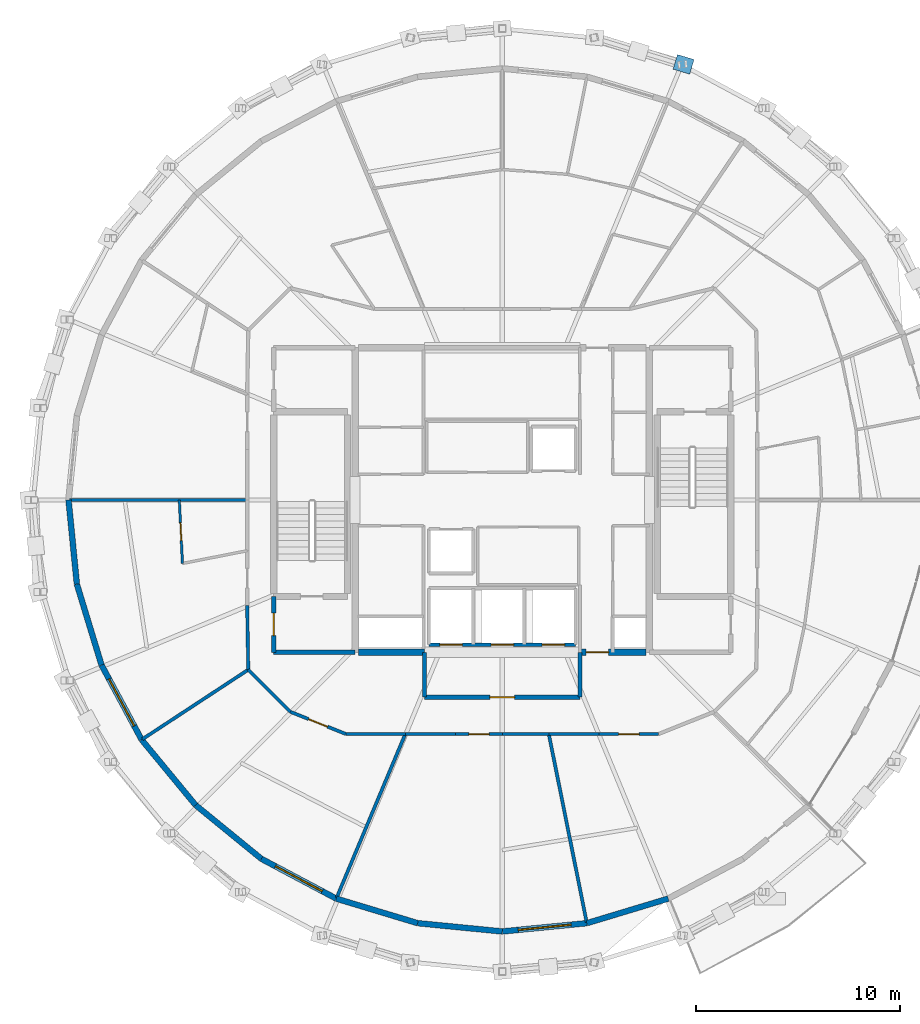
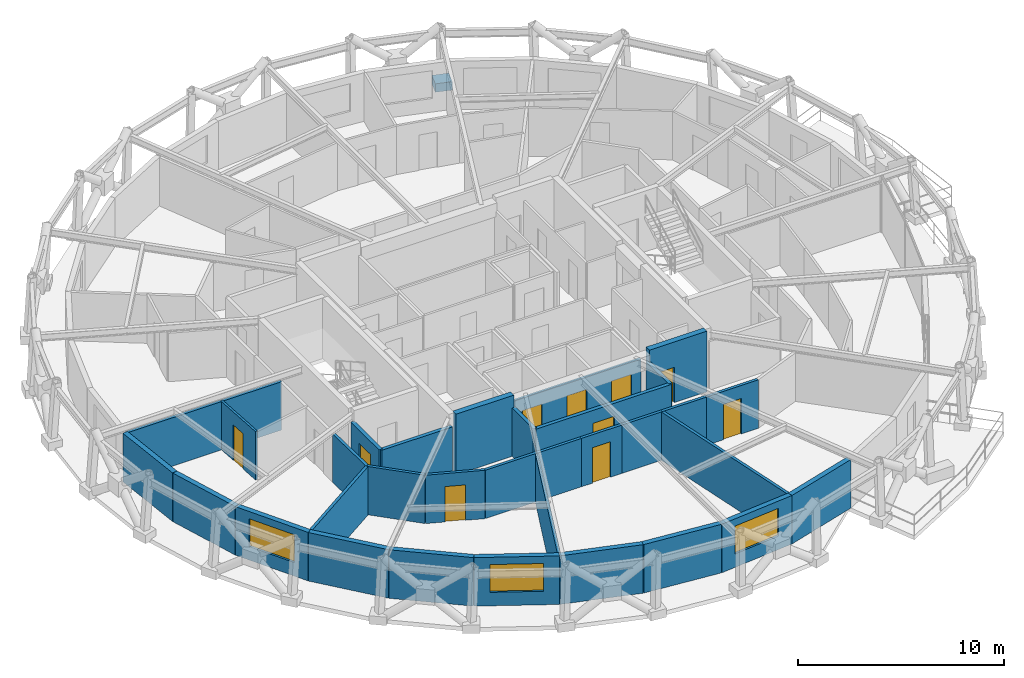
# One storey, part 7 of 12: 32 walls, 10 doors, 3 windows, 1 plate, 13 openings.
"""IFC4 building model written with IfcOpenShell, lengths in metres."""

from ifc_helpers import new_model, si_unit, direction, frame, frame_2d, origin, origin_2d, place, context, subcontext, project, spatial, rectangle, extrude, material, layer, layer_set, type_object, element, fill, save


model = new_model("IFC4")

# Units and contexts
model_context = context("Model", 3, precision=1e-05, world=origin(), true_north=direction((0.0, 1.0)))
body_context = subcontext(model_context, "Body", "Model", "MODEL_VIEW")
ifc_project = project(units=[si_unit("LENGTHUNIT", "METRE"), si_unit("AREAUNIT", "SQUARE_METRE"), si_unit("VOLUMEUNIT", "CUBIC_METRE"), si_unit("PLANEANGLEUNIT", "RADIAN"), si_unit("MASSUNIT", "GRAM", prefix="KILO")], contexts=[model_context])

# Site, building, storey
site_placement = place(None, origin())
site = spatial("IfcSite", under=ifc_project, at=site_placement, CompositionType="ELEMENT")
building_placement = place(site_placement, origin())
building = spatial("IfcBuilding", under=site, at=building_placement, Name="Veldorina Hangang Commons", CompositionType="ELEMENT")
storey_placement = place(building_placement, frame((0.0, 0.0, 247.199951171875)))
storey = spatial("IfcBuildingStorey", under=building, at=storey_placement, Name="L64", CompositionType="ELEMENT", Elevation=247.199951171875)

# Plate
ifc_material_1 = material(Name="Steel SM460-TMC", Category="steel")
ifc_layer_1 = layer(ifc_material_1, 0.035888671875)
ifc_layer_set_1 = layer_set([ifc_layer_1], Name="Steel SM460-TMC")
plate_type = type_object("IfcPlateType", Name="PL-STAR-36", PredefinedType="USERDEFINED", material=ifc_layer_set_1)
plate_placement = place(storey_placement, frame((40.87060546875, 45.313720703125, -0.08984375), z_axis=(0.0, 0.0, 1.0), x_axis=(-0.957319497532, 0.289031796944, 0.0)))
element("IfcPlate", 1, at=plate_placement, inside=storey, type_object=plate_type, Name="L64 diagrid star-node gusset plate 06", ObjectType="GUSSET PLATE", PredefinedType="USERDEFINED", context=body_context, shape_type="SweptSolid", body=[
    extrude(rectangle(XDim=0.85009765625, YDim=0.75, at=origin_2d()), origin(), (0.0, 0.0, 1.0), 0.5),
])

# Wall
ifc_material_2 = material(Name="Concrete C50/60", Category="concrete")
ifc_layer_2 = layer(ifc_material_2, 0.320068359375)
ifc_layer_set_2 = layer_set([ifc_layer_2], Name="Concrete C50/60")
wall_type_1 = type_object("IfcWallType", Name="CW-RC320-C50", PredefinedType="SHEAR", material=ifc_layer_set_2)
wall_1_placement = place(storey_placement, frame((24.9599609375, 16.550048828125, 0.0), z_axis=(0.0, 0.0, 1.0), x_axis=(1.0, 0.0, 0.0)))
element("IfcWall", 2, at=wall_1_placement, inside=storey, type_object=wall_type_1, Name="L64 south-west core shear wall", PredefinedType="SHEAR", context=body_context, shape_type="SweptSolid", body=[
    extrude(rectangle(XDim=3.239990234375, YDim=0.320068359375, at=frame_2d((1.6201171875, 0.0))), origin(), (0.0, 0.0, 1.0), 3.60009765625),
])

# Wall, opening, door
wall_2_placement = place(storey_placement, frame((35.800048828125, 16.550048828125, 0.0), z_axis=(0.0, 0.0, 1.0), x_axis=(1.0, 0.0, 0.0)))
wall_2 = element("IfcWall", 3, at=wall_2_placement, inside=storey, type_object=wall_type_1, Name="L64 south-east core shear wall", PredefinedType="SHEAR", context=body_context, shape_type="SweptSolid", body=[
    extrude(rectangle(XDim=3.239990234375, YDim=0.320068359375, at=frame_2d((1.6201171875, 0.0))), origin(), (0.0, 0.0, 1.0), 3.60009765625),
])
opening_1_placement = place(wall_2_placement, frame((0.300048828125, 0.0, 0.0)))
opening_1 = element("IfcOpeningElement", 4, at=opening_1_placement, cuts=wall_2, Name="Opening D-08", PredefinedType="OPENING", context=body_context, shape_type="SweptSolid", body=[
    extrude(rectangle(XDim=1.10009765625, YDim=2.10009765625, at=frame_2d((0.550048828125, 1.050048828125))), frame((0.0, 0.169921875, 0.0), z_axis=(0.0, -1.0, 0.0), x_axis=(1.0, 0.0, 0.0)), (0.0, 0.0, 1.0), 0.340087890625),
])
ifc_material_3 = material(Name="Steel Fire-Rated Smoke Seal", Category="steel")
door_type_1 = type_object("IfcDoorType", Name="DR-FIRE-1100", OperationType="SINGLE_SWING_RIGHT", PredefinedType="DOOR", material=ifc_material_3)
door_1_placement = place(opening_1_placement, origin())
door_1 = element("IfcDoor", 5, at=door_1_placement, inside=storey, type_object=door_type_1, Name="L64 central lift lobby south corridor door", OperationType="SINGLE_SWING_RIGHT", OverallHeight=2.10009765625, OverallWidth=1.10009765625, PredefinedType="DOOR", context=body_context, shape_type="SweptSolid", body=[
    extrude(rectangle(XDim=1.10009765625, YDim=2.10009765625, at=frame_2d((0.550048828125, 1.050048828125))), frame((0.0, 0.02490234375, 0.0), z_axis=(0.0, -1.0, 0.0), x_axis=(1.0, 0.0, 0.0)), (0.0, 0.0, 1.0), 0.050048828125),
])
fill(opening_1, door_1)

# Walls
ifc_material_4 = material(Name="Stone Roman Travertine", Category="masonry")
ifc_layer_3 = layer(ifc_material_4, 0.280029296875)
ifc_layer_set_3 = layer_set([ifc_layer_3], Name="Stone Roman Travertine")
wall_type_2 = type_object("IfcWallType", Name="EW-TRAV-280", PredefinedType="STANDARD", material=ifc_layer_set_3)
wall_3_placement = place(storey_placement, frame((10.7802734375, 24.0, 0.0), z_axis=(0.0, 0.0, 1.0), x_axis=(0.098516576832, -0.995135409926, 0.0)))
element("IfcWall", 6, at=wall_3_placement, inside=storey, type_object=wall_type_2, Name="L64 travertine facade wall 16", PredefinedType="STANDARD", context=body_context, shape_type="SweptSolid", body=[
    extrude(rectangle(XDim=4.138427734375, YDim=0.280029296875, at=frame_2d((2.0693359375, 0.0))), origin(), (0.0, 0.0, 1.0), 2.880126953125),
])
wall_4_placement = place(storey_placement, frame((11.18798828125, 19.881591796875, 0.0), z_axis=(0.0, 0.0, 1.0), x_axis=(0.291673136786, -0.95651805068, 0.0)))
element("IfcWall", 7, at=wall_4_placement, inside=storey, type_object=wall_type_2, Name="L64 travertine facade wall 17", PredefinedType="STANDARD", context=body_context, shape_type="SweptSolid", body=[
    extrude(rectangle(XDim=4.139892578125, YDim=0.280029296875, at=frame_2d((2.06982421875, 0.0))), origin(), (0.0, 0.0, 1.0), 2.880126953125),
])

# Wall, opening, window
wall_5_placement = place(storey_placement, frame((12.3955078125, 15.921630859375, 0.0), z_axis=(0.0, 0.0, 1.0), x_axis=(0.473326520675, -0.880887055658, 0.0)))
wall_5 = element("IfcWall", 8, at=wall_5_placement, inside=storey, type_object=wall_type_2, Name="L64 travertine facade wall 18", PredefinedType="STANDARD", context=body_context, shape_type="SweptSolid", body=[
    extrude(rectangle(XDim=4.142822265625, YDim=0.280029296875, at=frame_2d((2.0712890625, 0.0))), origin(), (0.0, 0.0, 1.0), 2.880126953125),
])
opening_2_placement = place(wall_5_placement, frame((0.771484375, 0.0, 0.800048828125)))
opening_2 = element("IfcOpeningElement", 9, at=opening_2_placement, cuts=wall_5, Name="Opening W-02", PredefinedType="OPENING", context=body_context, shape_type="SweptSolid", body=[
    extrude(rectangle(XDim=2.60009765625, YDim=1.64990234375, at=frame_2d((1.300048828125, 0.824951171875))), frame((0.0, 0.14990234375, 0.0), z_axis=(0.0, -1.0, 0.0), x_axis=(1.0, 0.0, 0.0)), (0.0, 0.0, 1.0), 0.300048828125),
])
ifc_material_5 = material(Name="Glass Low-E Triple IGU", Category="glass")
window_type = type_object("IfcWindowType", Name="WIN-TWR-2600", PartitioningType="SINGLE_PANEL", PredefinedType="WINDOW", material=ifc_material_5)
window_1_placement = place(opening_2_placement, origin())
window_1 = element("IfcWindow", 10, at=window_1_placement, inside=storey, type_object=window_type, Name="L64 facade window 18", OverallHeight=1.64990234375, OverallWidth=2.60009765625, PartitioningType="SINGLE_PANEL", PredefinedType="WINDOW", context=body_context, shape_type="SweptSolid", body=[
    extrude(rectangle(XDim=2.60009765625, YDim=1.64990234375, at=frame_2d((1.300048828125, 0.824951171875))), frame((0.0, 0.030029296875, 0.0), z_axis=(0.0, -1.0, 0.0), x_axis=(1.0, 0.0, 0.0)), (0.0, 0.0, 1.0), 0.06005859375),
])
fill(opening_2, window_1)

# Walls
wall_6_placement = place(storey_placement, frame((14.3564453125, 12.272216796875, 0.0), z_axis=(0.0, 0.0, 1.0), x_axis=(0.63634880002, -0.771401454959, 0.0)))
element("IfcWall", 11, at=wall_6_placement, inside=storey, type_object=wall_type_2, Name="L64 travertine facade wall 19", PredefinedType="STANDARD", context=body_context, shape_type="SweptSolid", body=[
    extrude(rectangle(XDim=4.14697265625, YDim=0.280029296875, at=frame_2d((2.073486328125, 0.0))), origin(), (0.0, 0.0, 1.0), 2.880126953125),
])
wall_7_placement = place(storey_placement, frame((16.995361328125, 9.0732421875, 0.0), z_axis=(0.0, 0.0, 1.0), x_axis=(0.774627683951, -0.632417545025, 0.0)))
element("IfcWall", 12, at=wall_7_placement, inside=storey, type_object=wall_type_2, Name="L64 travertine facade wall 20", PredefinedType="STANDARD", context=body_context, shape_type="SweptSolid", body=[
    extrude(rectangle(XDim=4.151123046875, YDim=0.280029296875, at=frame_2d((2.07568359375, 0.0))), origin(), (0.0, 0.0, 1.0), 2.880126953125),
])

# Wall, opening, window
wall_8_placement = place(storey_placement, frame((20.2109375, 6.447998046875, 0.0), z_axis=(0.0, 0.0, 1.0), x_axis=(0.88293458377, -0.469496028506, 0.0)))
wall_8 = element("IfcWall", 13, at=wall_8_placement, inside=storey, type_object=wall_type_2, Name="L64 travertine facade wall 21", PredefinedType="STANDARD", context=body_context, shape_type="SweptSolid", body=[
    extrude(rectangle(XDim=4.15478515625, YDim=0.280029296875, at=frame_2d((2.077392578125, 0.0))), origin(), (0.0, 0.0, 1.0), 2.880126953125),
])
opening_3_placement = place(wall_8_placement, frame((0.777587890625, 0.0, 0.800048828125)))
opening_3 = element("IfcOpeningElement", 14, at=opening_3_placement, cuts=wall_8, Name="Opening W-02", PredefinedType="OPENING", context=body_context, shape_type="SweptSolid", body=[
    extrude(rectangle(XDim=2.60009765625, YDim=1.64990234375, at=frame_2d((1.300048828125, 0.824951171875))), frame((0.0, 0.14990234375, 0.0), z_axis=(0.0, -1.0, 0.0), x_axis=(1.0, 0.0, 0.0)), (0.0, 0.0, 1.0), 0.300048828125),
])
window_2_placement = place(opening_3_placement, origin())
window_2 = element("IfcWindow", 15, at=window_2_placement, inside=storey, type_object=window_type, Name="L64 facade window 21", OverallHeight=1.64990234375, OverallWidth=2.60009765625, PartitioningType="SINGLE_PANEL", PredefinedType="WINDOW", context=body_context, shape_type="SweptSolid", body=[
    extrude(rectangle(XDim=2.60009765625, YDim=1.64990234375, at=frame_2d((1.300048828125, 0.824951171875))), frame((0.0, 0.030029296875, 0.0), z_axis=(0.0, -1.0, 0.0), x_axis=(1.0, 0.0, 0.0)), (0.0, 0.0, 1.0), 0.06005859375),
])
fill(opening_3, window_2)

# Walls
wall_9_placement = place(storey_placement, frame((23.87939453125, 4.497314453125, 0.0), z_axis=(0.0, 0.0, 1.0), x_axis=(0.957348244256, -0.288936566083, 0.0)))
element("IfcWall", 16, at=wall_9_placement, inside=storey, type_object=wall_type_2, Name="L64 travertine facade wall 22", PredefinedType="STANDARD", context=body_context, shape_type="SweptSolid", body=[
    extrude(rectangle(XDim=4.157958984375, YDim=0.280029296875, at=frame_2d((2.0791015625, 0.0))), origin(), (0.0, 0.0, 1.0), 2.880126953125),
])
wall_10_placement = place(storey_placement, frame((27.860107421875, 3.2958984375, 0.0), z_axis=(0.0, 0.0, 1.0), x_axis=(0.995236791144, -0.09748707378, 0.0)))
element("IfcWall", 17, at=wall_10_placement, inside=storey, type_object=wall_type_2, Name="L64 travertine facade wall 23", PredefinedType="STANDARD", context=body_context, shape_type="SweptSolid", body=[
    extrude(rectangle(XDim=4.15966796875, YDim=0.280029296875, at=frame_2d((2.079833984375, 0.0))), origin(), (0.0, 0.0, 1.0), 2.880126953125),
])

# Wall, opening, window
wall_11_placement = place(storey_placement, frame((32.0, 2.890380859375, 0.0), z_axis=(0.0, 0.0, 1.0), x_axis=(0.995236791144, 0.09748707378, 0.0)))
wall_11 = element("IfcWall", 18, at=wall_11_placement, inside=storey, type_object=wall_type_2, Name="L64 travertine facade wall 24", PredefinedType="STANDARD", context=body_context, shape_type="SweptSolid", body=[
    extrude(rectangle(XDim=4.15966796875, YDim=0.280029296875, at=frame_2d((2.079833984375, 0.0))), origin(), (0.0, 0.0, 1.0), 2.880126953125),
])
opening_4_placement = place(wall_11_placement, frame((0.77978515625, 0.0, 0.800048828125)))
opening_4 = element("IfcOpeningElement", 19, at=opening_4_placement, cuts=wall_11, Name="Opening W-02", PredefinedType="OPENING", context=body_context, shape_type="SweptSolid", body=[
    extrude(rectangle(XDim=2.60009765625, YDim=1.64990234375, at=frame_2d((1.300048828125, 0.824951171875))), frame((0.0, 0.14990234375, 0.0), z_axis=(0.0, -1.0, 0.0), x_axis=(1.0, 0.0, 0.0)), (0.0, 0.0, 1.0), 0.300048828125),
])
window_3_placement = place(opening_4_placement, origin())
window_3 = element("IfcWindow", 20, at=window_3_placement, inside=storey, type_object=window_type, Name="L64 facade window 24", OverallHeight=1.64990234375, OverallWidth=2.60009765625, PartitioningType="SINGLE_PANEL", PredefinedType="WINDOW", context=body_context, shape_type="SweptSolid", body=[
    extrude(rectangle(XDim=2.60009765625, YDim=1.64990234375, at=frame_2d((1.300048828125, 0.824951171875))), frame((0.0, 0.030029296875, 0.0), z_axis=(0.0, -1.0, 0.0), x_axis=(1.0, 0.0, 0.0)), (0.0, 0.0, 1.0), 0.06005859375),
])
fill(opening_4, window_3)

# Wall
wall_12_placement = place(storey_placement, frame((36.139892578125, 3.2958984375, 0.0), z_axis=(0.0, 0.0, 1.0), x_axis=(0.957348244256, 0.288936566083, 0.0)))
element("IfcWall", 21, at=wall_12_placement, inside=storey, type_object=wall_type_2, Name="L64 travertine facade wall 25", PredefinedType="STANDARD", context=body_context, shape_type="SweptSolid", body=[
    extrude(rectangle(XDim=4.157958984375, YDim=0.280029296875, at=frame_2d((2.0791015625, 0.0))), origin(), (0.0, 0.0, 1.0), 2.880126953125),
])

# Wall, openings, doors
ifc_material_6 = material(Name="Gypsum Fire-Rated Twin Stud Wall", Category="gypsum")
ifc_layer_4 = layer(ifc_material_6, 0.159912109375)
ifc_layer_set_4 = layer_set([ifc_layer_4], Name="Gypsum Fire-Rated Twin Stud Wall")
wall_type_3 = type_object("IfcWallType", Name="WL-FIRE-160", PredefinedType="SOLIDWALL", material=ifc_layer_set_4)
wall_13_placement = place(storey_placement, frame((28.419921875, 16.919921875, 0.0), z_axis=(0.0, 0.0, 1.0), x_axis=(1.0, 0.0, 0.0)))
wall_13 = element("IfcWall", 22, at=wall_13_placement, inside=storey, type_object=wall_type_3, Name="L64 Emergency front shaft wall 023", PredefinedType="SOLIDWALL", context=body_context, shape_type="SweptSolid", body=[
    extrude(rectangle(XDim=7.16015625, YDim=0.159912109375, at=frame_2d((3.580078125, 0.0))), origin(), (0.0, 0.0, 1.0), 2.8701171875),
])
opening_5_placement = place(wall_13_placement, frame((0.530029296875, 0.0, 0.0)))
opening_5 = element("IfcOpeningElement", 23, at=opening_5_placement, cuts=wall_13, Name="Opening LD-03", PredefinedType="OPENING", context=body_context, shape_type="SweptSolid", body=[
    extrude(rectangle(XDim=1.10009765625, YDim=2.14990234375, at=frame_2d((0.550048828125, 1.074951171875))), frame((0.0, 0.08984375, 0.0), z_axis=(0.0, -1.0, 0.0), x_axis=(1.0, 0.0, 0.0)), (0.0, 0.0, 1.0), 0.179931640625),
])
opening_6_placement = place(wall_13_placement, frame((3.030029296875, 0.0, 0.0)))
opening_6 = element("IfcOpeningElement", 24, at=opening_6_placement, cuts=wall_13, Name="Opening LD-03", PredefinedType="OPENING", context=body_context, shape_type="SweptSolid", body=[
    extrude(rectangle(XDim=1.10009765625, YDim=2.14990234375, at=frame_2d((0.550048828125, 1.074951171875))), frame((0.0, 0.08984375, 0.0), z_axis=(0.0, -1.0, 0.0), x_axis=(1.0, 0.0, 0.0)), (0.0, 0.0, 1.0), 0.179931640625),
])
opening_7_placement = place(wall_13_placement, frame((5.530029296875, 0.0, 0.0)))
opening_7 = element("IfcOpeningElement", 25, at=opening_7_placement, cuts=wall_13, Name="Opening LD-03", PredefinedType="OPENING", context=body_context, shape_type="SweptSolid", body=[
    extrude(rectangle(XDim=1.10009765625, YDim=2.14990234375, at=frame_2d((0.550048828125, 1.074951171875))), frame((0.0, 0.08984375, 0.0), z_axis=(0.0, -1.0, 0.0), x_axis=(1.0, 0.0, 0.0)), (0.0, 0.0, 1.0), 0.179931640625),
])
ifc_material_7 = material(Name="Stainless Steel Firefighting Lift Door", Category="steel")
door_type_2 = type_object("IfcDoorType", Name="DR-LIFT-FF1100", OperationType="SLIDING_TO_RIGHT", PredefinedType="DOOR", material=ifc_material_7)
door_2_placement = place(opening_5_placement, origin())
door_2 = element("IfcDoor", 26, at=door_2_placement, inside=storey, type_object=door_type_2, Name="L64 Emergency lift FFL-1 landing door 008", OperationType="SLIDING_TO_RIGHT", OverallHeight=2.14990234375, OverallWidth=1.10009765625, PredefinedType="DOOR", context=body_context, shape_type="SweptSolid", body=[
    extrude(rectangle(XDim=1.10009765625, YDim=2.14990234375, at=frame_2d((0.550048828125, 1.074951171875))), frame((0.0, 0.02490234375, 0.0), z_axis=(0.0, -1.0, 0.0), x_axis=(1.0, 0.0, 0.0)), (0.0, 0.0, 1.0), 0.050048828125),
])
fill(opening_5, door_2)
door_3_placement = place(opening_6_placement, origin())
door_3 = element("IfcDoor", 27, at=door_3_placement, inside=storey, type_object=door_type_2, Name="L64 Emergency lift FFL-2 landing door 009", OperationType="SLIDING_TO_RIGHT", OverallHeight=2.14990234375, OverallWidth=1.10009765625, PredefinedType="DOOR", context=body_context, shape_type="SweptSolid", body=[
    extrude(rectangle(XDim=1.10009765625, YDim=2.14990234375, at=frame_2d((0.550048828125, 1.074951171875))), frame((0.0, 0.02490234375, 0.0), z_axis=(0.0, -1.0, 0.0), x_axis=(1.0, 0.0, 0.0)), (0.0, 0.0, 1.0), 0.050048828125),
])
fill(opening_6, door_3)
door_4_placement = place(opening_7_placement, origin())
door_4 = element("IfcDoor", 28, at=door_4_placement, inside=storey, type_object=door_type_2, Name="L64 Emergency lift EVL-1 landing door 010", OperationType="SLIDING_TO_RIGHT", OverallHeight=2.14990234375, OverallWidth=1.10009765625, PredefinedType="DOOR", context=body_context, shape_type="SweptSolid", body=[
    extrude(rectangle(XDim=1.10009765625, YDim=2.14990234375, at=frame_2d((0.550048828125, 1.074951171875))), frame((0.0, 0.02490234375, 0.0), z_axis=(0.0, -1.0, 0.0), x_axis=(1.0, 0.0, 0.0)), (0.0, 0.0, 1.0), 0.050048828125),
])
fill(opening_7, door_4)

# Walls
wall_14_placement = place(storey_placement, frame((19.52001953125, 18.83056640625, 0.0), z_axis=(0.0, 0.0, 1.0), x_axis=(0.016981035134, -0.999855811828, 0.0)))
element("IfcWall", 29, at=wall_14_placement, inside=storey, type_object=wall_type_3, Name="L64 Compact collar outer wall 18 070", PredefinedType="SOLIDWALL", context=body_context, shape_type="SweptSolid", body=[
    extrude(rectangle(XDim=3.13427734375, YDim=0.159912109375, at=frame_2d((1.567138671875, 0.0))), origin(), (0.0, 0.0, 1.0), 2.8701171875),
])
wall_15_placement = place(storey_placement, frame((19.5732421875, 15.69677734375, 0.0), z_axis=(0.0, 0.0, 1.0), x_axis=(0.707106781187, -0.707106781187, 0.0)))
element("IfcWall", 30, at=wall_15_placement, inside=storey, type_object=wall_type_3, Name="L64 Compact collar outer wall 19 071", PredefinedType="SOLIDWALL", context=body_context, shape_type="SweptSolid", body=[
    extrude(rectangle(XDim=2.915771484375, YDim=0.159912109375, at=frame_2d((1.4580078125, 0.0))), origin(), (0.0, 0.0, 1.0), 2.8701171875),
])

# Wall, opening, door
wall_16_placement = place(storey_placement, frame((21.635009765625, 13.635009765625, 0.0), z_axis=(0.0, 0.0, 1.0), x_axis=(0.92856882165, -0.371160266542, 0.0)))
wall_16 = element("IfcWall", 31, at=wall_16_placement, inside=storey, type_object=wall_type_3, Name="L64 Compact collar outer wall 20 072", PredefinedType="SOLIDWALL", context=body_context, shape_type="SweptSolid", body=[
    extrude(rectangle(XDim=2.923095703125, YDim=0.159912109375, at=frame_2d((1.46142578125, 0.0))), origin(), (0.0, 0.0, 1.0), 2.8701171875),
])
opening_8_placement = place(wall_16_placement, frame((0.961669921875, 0.0, 0.0)))
opening_8 = element("IfcOpeningElement", 32, at=opening_8_placement, cuts=wall_16, Name="Opening D-05", PredefinedType="OPENING", context=body_context, shape_type="SweptSolid", body=[
    extrude(rectangle(XDim=1.0, YDim=2.10009765625, at=frame_2d((0.5, 1.050048828125))), frame((0.0, 0.08984375, 0.0), z_axis=(0.0, -1.0, 0.0), x_axis=(1.0, 0.0, 0.0)), (0.0, 0.0, 1.0), 0.179931640625),
])
ifc_material_8 = material(Name="Timber Solid Core Acoustic", Category="wood")
door_type_3 = type_object("IfcDoorType", Name="DR-INT-1000", OperationType="SINGLE_SWING_RIGHT", PredefinedType="DOOR", material=ifc_material_8)
door_5_placement = place(opening_8_placement, origin())
door_5 = element("IfcDoor", 33, at=door_5_placement, inside=storey, type_object=door_type_3, Name="L64 Floor Study Room 7 door 040", OperationType="SINGLE_SWING_RIGHT", OverallHeight=2.10009765625, OverallWidth=1.0, PredefinedType="DOOR", context=body_context, shape_type="SweptSolid", body=[
    extrude(rectangle(XDim=1.0, YDim=2.10009765625, at=frame_2d((0.5, 1.050048828125))), frame((0.0, 0.02490234375, 0.0), z_axis=(0.0, -1.0, 0.0), x_axis=(1.0, 0.0, 0.0)), (0.0, 0.0, 1.0), 0.050048828125),
])
fill(opening_8, door_5)

# Walls
wall_17_placement = place(storey_placement, frame((24.349365234375, 12.550048828125, 0.0), z_axis=(0.0, 0.0, 1.0), x_axis=(1.0, 0.0, 0.0)))
element("IfcWall", 34, at=wall_17_placement, inside=storey, type_object=wall_type_3, Name="L64 Compact collar outer wall 21 073", PredefinedType="SOLIDWALL", context=body_context, shape_type="SweptSolid", body=[
    extrude(rectangle(XDim=2.907958984375, YDim=0.159912109375, at=frame_2d((1.4541015625, 0.0))), origin(), (0.0, 0.0, 1.0), 2.8701171875),
])
wall_18_placement = place(storey_placement, frame((27.25732421875, 12.550048828125, 0.0), z_axis=(0.0, 0.0, 1.0), x_axis=(1.0, 0.0, 0.0)))
element("IfcWall", 35, at=wall_18_placement, inside=storey, type_object=wall_type_3, Name="L64 Compact collar outer wall 22 074", PredefinedType="SOLIDWALL", context=body_context, shape_type="SweptSolid", body=[
    extrude(rectangle(XDim=2.465087890625, YDim=0.159912109375, at=frame_2d((1.232421875, 0.0))), origin(), (0.0, 0.0, 1.0), 2.8701171875),
])

# Wall, opening, door
wall_19_placement = place(storey_placement, frame((29.722412109375, 12.550048828125, 0.0), z_axis=(0.0, 0.0, 1.0), x_axis=(1.0, 0.0, 0.0)))
wall_19 = element("IfcWall", 36, at=wall_19_placement, inside=storey, type_object=wall_type_3, Name="L64 Compact collar outer wall 23 075", PredefinedType="SOLIDWALL", context=body_context, shape_type="SweptSolid", body=[
    extrude(rectangle(XDim=2.277587890625, YDim=0.159912109375, at=frame_2d((1.138671875, 0.0))), origin(), (0.0, 0.0, 1.0), 2.8701171875),
])
opening_9_placement = place(wall_19_placement, frame((0.638671875, 0.0, 0.0)))
opening_9 = element("IfcOpeningElement", 37, at=opening_9_placement, cuts=wall_19, Name="Opening D-05", PredefinedType="OPENING", context=body_context, shape_type="SweptSolid", body=[
    extrude(rectangle(XDim=1.0, YDim=2.10009765625, at=frame_2d((0.5, 1.050048828125))), frame((0.0, 0.08984375, 0.0), z_axis=(0.0, -1.0, 0.0), x_axis=(1.0, 0.0, 0.0)), (0.0, 0.0, 1.0), 0.179931640625),
])
door_6_placement = place(opening_9_placement, origin())
door_6 = element("IfcDoor", 38, at=door_6_placement, inside=storey, type_object=door_type_3, Name="L64 Floor Study Room 8 door 041", OperationType="SINGLE_SWING_LEFT", OverallHeight=2.10009765625, OverallWidth=1.0, PredefinedType="DOOR", context=body_context, shape_type="SweptSolid", body=[
    extrude(rectangle(XDim=1.0, YDim=2.10009765625, at=frame_2d((0.5, 1.050048828125))), frame((0.0, 0.02490234375, 0.0), z_axis=(0.0, -1.0, 0.0), x_axis=(1.0, 0.0, 0.0)), (0.0, 0.0, 1.0), 0.050048828125),
])
fill(opening_9, door_6)

# Walls
wall_20_placement = place(storey_placement, frame((32.0, 12.550048828125, 0.0), z_axis=(0.0, 0.0, 1.0), x_axis=(1.0, 0.0, 0.0)))
element("IfcWall", 39, at=wall_20_placement, inside=storey, type_object=wall_type_3, Name="L64 Compact collar outer wall 24 076", PredefinedType="SOLIDWALL", context=body_context, shape_type="SweptSolid", body=[
    extrude(rectangle(XDim=2.277587890625, YDim=0.159912109375, at=frame_2d((1.138671875, 0.0))), origin(), (0.0, 0.0, 1.0), 2.8701171875),
])
wall_21_placement = place(storey_placement, frame((34.277587890625, 12.550048828125, 0.0), z_axis=(0.0, 0.0, 1.0), x_axis=(1.0, 0.0, 0.0)))
element("IfcWall", 40, at=wall_21_placement, inside=storey, type_object=wall_type_3, Name="L64 Compact collar outer wall 25 077", PredefinedType="SOLIDWALL", context=body_context, shape_type="SweptSolid", body=[
    extrude(rectangle(XDim=2.465087890625, YDim=0.159912109375, at=frame_2d((1.232421875, 0.0))), origin(), (0.0, 0.0, 1.0), 2.8701171875),
])

# Wall, opening, door
wall_22_placement = place(storey_placement, frame((36.74267578125, 12.550048828125, 0.0), z_axis=(0.0, 0.0, 1.0), x_axis=(1.0, 0.0, 0.0)))
wall_22 = element("IfcWall", 41, at=wall_22_placement, inside=storey, type_object=wall_type_3, Name="L64 Compact collar outer wall 26 078", PredefinedType="SOLIDWALL", context=body_context, shape_type="SweptSolid", body=[
    extrude(rectangle(XDim=2.907958984375, YDim=0.159912109375, at=frame_2d((1.4541015625, 0.0))), origin(), (0.0, 0.0, 1.0), 2.8701171875),
])
opening_10_placement = place(wall_22_placement, frame((0.9541015625, 0.0, 0.0)))
opening_10 = element("IfcOpeningElement", 42, at=opening_10_placement, cuts=wall_22, Name="Opening D-05", PredefinedType="OPENING", context=body_context, shape_type="SweptSolid", body=[
    extrude(rectangle(XDim=1.0, YDim=2.10009765625, at=frame_2d((0.5, 1.050048828125))), frame((0.0, 0.08984375, 0.0), z_axis=(0.0, -1.0, 0.0), x_axis=(1.0, 0.0, 0.0)), (0.0, 0.0, 1.0), 0.179931640625),
])
door_7_placement = place(opening_10_placement, origin())
door_7 = element("IfcDoor", 43, at=door_7_placement, inside=storey, type_object=door_type_3, Name="L64 Seminar Focus Room 9 door 042", OperationType="SINGLE_SWING_RIGHT", OverallHeight=2.10009765625, OverallWidth=1.0, PredefinedType="DOOR", context=body_context, shape_type="SweptSolid", body=[
    extrude(rectangle(XDim=1.0, YDim=2.10009765625, at=frame_2d((0.5, 1.050048828125))), frame((0.0, 0.02490234375, 0.0), z_axis=(0.0, -1.0, 0.0), x_axis=(1.0, 0.0, 0.0)), (0.0, 0.0, 1.0), 0.050048828125),
])
fill(opening_10, door_7)

# Walls
wall_23_placement = place(storey_placement, frame((19.52001953125, 24.0, 0.0), z_axis=(0.0, 0.0, 1.0), x_axis=(-1.0, 0.0, 0.0)))
element("IfcWall", 44, at=wall_23_placement, inside=storey, type_object=wall_type_3, Name="L64 Unit party wall 16 115", PredefinedType="SOLIDWALL", context=body_context, shape_type="SweptSolid", body=[
    extrude(rectangle(XDim=8.68994140625, YDim=0.159912109375, at=frame_2d((4.344970703125, 0.0))), origin(), (0.0, 0.0, 1.0), 2.8701171875),
])
wall_24_placement = place(storey_placement, frame((19.5732421875, 15.69677734375, 0.0), z_axis=(0.0, 0.0, 1.0), x_axis=(-0.835967060614, -0.548779622043, 0.0)))
element("IfcWall", 45, at=wall_24_placement, inside=storey, type_object=wall_type_3, Name="L64 Unit party wall 19 118", PredefinedType="SOLIDWALL", context=body_context, shape_type="SweptSolid", body=[
    extrude(rectangle(XDim=6.1904296875, YDim=0.159912109375, at=frame_2d((3.09521484375, 0.0))), origin(), (0.0, 0.0, 1.0), 2.8701171875),
])
wall_25_placement = place(storey_placement, frame((27.25732421875, 12.550048828125, 0.0), z_axis=(0.0, 0.0, 1.0), x_axis=(-0.386818468204, -0.922155883057, 0.0)))
element("IfcWall", 46, at=wall_25_placement, inside=storey, type_object=wall_type_3, Name="L64 Unit party wall 22 119", PredefinedType="SOLIDWALL", context=body_context, shape_type="SweptSolid", body=[
    extrude(rectangle(XDim=8.6826171875, YDim=0.159912109375, at=frame_2d((4.34130859375, 0.0))), origin(), (0.0, 0.0, 1.0), 2.8701171875),
])
wall_26_placement = place(storey_placement, frame((34.277587890625, 12.550048828125, 0.0), z_axis=(0.0, 0.0, 1.0), x_axis=(0.197271052083, -0.980348984806, 0.0)))
element("IfcWall", 47, at=wall_26_placement, inside=storey, type_object=wall_type_3, Name="L64 Unit party wall 25 120", PredefinedType="SOLIDWALL", context=body_context, shape_type="SweptSolid", body=[
    extrude(rectangle(XDim=9.3896484375, YDim=0.159912109375, at=frame_2d((4.69482421875, 0.0))), origin(), (0.0, 0.0, 1.0), 2.8701171875),
])

# Wall, opening, door
ifc_material_9 = material(Name="Concrete Blockwork Fire Wall C30/37", Category="masonry")
ifc_layer_5 = layer(ifc_material_9, 0.199951171875)
ifc_layer_set_5 = layer_set([ifc_layer_5], Name="Concrete Blockwork Fire Wall C30/37")
wall_type_4 = type_object("IfcWallType", Name="WL-FIRE-200", PredefinedType="SOLIDWALL", material=ifc_layer_set_5)
wall_27_placement = place(storey_placement, frame((20.820068359375, 16.550048828125, 0.0), z_axis=(0.0, 0.0, 1.0), x_axis=(0.0, 1.0, 0.0)))
wall_27 = element("IfcWall", 48, at=wall_27_placement, inside=storey, type_object=wall_type_4, Name="L64 West vestibule outer wall 001", PredefinedType="SOLIDWALL", context=body_context, shape_type="SweptSolid", body=[
    extrude(rectangle(XDim=2.72998046875, YDim=0.199951171875, at=frame_2d((1.364990234375, 0.0))), origin(), (0.0, 0.0, 1.0), 2.8701171875),
])
opening_11_placement = place(wall_27_placement, frame((0.81494140625, 0.0, 0.0)))
opening_11 = element("IfcOpeningElement", 49, at=opening_11_placement, cuts=wall_27, Name="Opening D-08", PredefinedType="OPENING", context=body_context, shape_type="SweptSolid", body=[
    extrude(rectangle(XDim=1.10009765625, YDim=2.10009765625, at=frame_2d((0.550048828125, 1.050048828125))), frame((0.0, 0.10986328125, 0.0), z_axis=(0.0, -1.0, 0.0), x_axis=(1.0, 0.0, 0.0)), (0.0, 0.0, 1.0), 0.219970703125),
])
door_8_placement = place(opening_11_placement, origin())
door_8 = element("IfcDoor", 50, at=door_8_placement, inside=storey, type_object=door_type_1, Name="L64 West vestibule west door 001", OperationType="SINGLE_SWING_LEFT", OverallHeight=2.10009765625, OverallWidth=1.10009765625, PredefinedType="DOOR", context=body_context, shape_type="SweptSolid", body=[
    extrude(rectangle(XDim=1.10009765625, YDim=2.10009765625, at=frame_2d((0.550048828125, 1.050048828125))), frame((0.0, 0.02490234375, 0.0), z_axis=(0.0, -1.0, 0.0), x_axis=(1.0, 0.0, 0.0)), (0.0, 0.0, 1.0), 0.050048828125),
])
fill(opening_11, door_8)

# Walls
wall_28_placement = place(storey_placement, frame((20.820068359375, 16.550048828125, 0.0), z_axis=(0.0, 0.0, 1.0), x_axis=(1.0, 0.0, 0.0)))
element("IfcWall", 51, at=wall_28_placement, inside=storey, type_object=wall_type_4, Name="L64 West vestibule south wall 002", PredefinedType="SOLIDWALL", context=body_context, shape_type="SweptSolid", body=[
    extrude(rectangle(XDim=3.97998046875, YDim=0.199951171875, at=frame_2d((1.989990234375, 0.0))), origin(), (0.0, 0.0, 1.0), 2.8701171875),
])
for number, where, z_axis, x_axis, name in (
    (52, (28.199951171875, 14.35009765625, 0.0), (0.0, 0.0, 1.0), (0.0, 1.0, 0.0), "L64 FF lobby west wall 012"),
    (53, (35.800048828125, 14.35009765625, 0.0), (0.0, 0.0, 1.0), (0.0, 1.0, 0.0), "L64 FF lobby east wall 013"),
):
    element("IfcWall", number, at=place(storey_placement, frame(where, z_axis=z_axis, x_axis=x_axis)), inside=storey, type_object=wall_type_4, Name=name, PredefinedType="SOLIDWALL", context=body_context, shape_type="SweptSolid", body=[
        extrude(rectangle(XDim=2.199951171875, YDim=0.199951171875, at=frame_2d((1.10009765625, 0.0))), origin(), (0.0, 0.0, 1.0), 2.8701171875),
    ])

# Wall, opening, door
wall_29_placement = place(storey_placement, frame((28.199951171875, 14.35009765625, 0.0), z_axis=(0.0, 0.0, 1.0), x_axis=(1.0, 0.0, 0.0)))
wall_29 = element("IfcWall", 54, at=wall_29_placement, inside=storey, type_object=wall_type_4, Name="L64 FF lobby south wall 014", PredefinedType="SOLIDWALL", context=body_context, shape_type="SweptSolid", body=[
    extrude(rectangle(XDim=7.60009765625, YDim=0.199951171875, at=frame_2d((3.800048828125, 0.0))), origin(), (0.0, 0.0, 1.0), 2.8701171875),
])
opening_12_placement = place(wall_29_placement, frame((3.199951171875, 0.0, 0.0)))
opening_12 = element("IfcOpeningElement", 55, at=opening_12_placement, cuts=wall_29, Name="Opening D-09", PredefinedType="OPENING", context=body_context, shape_type="SweptSolid", body=[
    extrude(rectangle(XDim=1.199951171875, YDim=2.10009765625, at=frame_2d((0.60009765625, 1.050048828125))), frame((0.0, 0.10986328125, 0.0), z_axis=(0.0, -1.0, 0.0), x_axis=(1.0, 0.0, 0.0)), (0.0, 0.0, 1.0), 0.219970703125),
])
ifc_material_10 = material(Name="Steel Fire-Rated Corridor Door", Category="steel")
door_type_4 = type_object("IfcDoorType", Name="DR-FIRE-1200", OperationType="SINGLE_SWING_LEFT", PredefinedType="DOOR", material=ifc_material_10)
door_9_placement = place(opening_12_placement, origin())
door_9 = element("IfcDoor", 56, at=door_9_placement, inside=storey, type_object=door_type_4, Name="L64 FF lobby south corridor door 005", OperationType="SINGLE_SWING_LEFT", OverallHeight=2.10009765625, OverallWidth=1.199951171875, PredefinedType="DOOR", context=body_context, shape_type="SweptSolid", body=[
    extrude(rectangle(XDim=1.199951171875, YDim=2.10009765625, at=frame_2d((0.60009765625, 1.050048828125))), frame((0.0, 0.02490234375, 0.0), z_axis=(0.0, -1.0, 0.0), x_axis=(1.0, 0.0, 0.0)), (0.0, 0.0, 1.0), 0.050048828125),
])
fill(opening_12, door_9)

ifc_material_11 = material(Name="Gypsum Acoustic Stud Partition", Category="gypsum")
ifc_layer_6 = layer(ifc_material_11, 0.1201171875)
ifc_layer_set_6 = layer_set([ifc_layer_6], Name="Gypsum Acoustic Stud Partition")
wall_type_5 = type_object("IfcWallType", Name="WL-PART-120", PredefinedType="PARTITIONING", material=ifc_layer_set_6)
wall_30_placement = place(storey_placement, frame((16.198974609375, 24.0, 0.0), z_axis=(0.0, 0.0, 1.0), x_axis=(0.049804404596, -0.998758990589, 0.0)))
wall_30 = element("IfcWall", 57, at=wall_30_placement, inside=storey, type_object=wall_type_5, Name="L64 Studio 6 bath front wall 116", PredefinedType="PARTITIONING", context=body_context, shape_type="SweptSolid", body=[
    extrude(rectangle(XDim=3.10791015625, YDim=0.1201171875, at=frame_2d((1.553955078125, 0.0))), origin(), (0.0, 0.0, 1.0), 2.8701171875),
])
opening_13_placement = place(wall_30_placement, frame((1.1240234375, 0.0, 0.0)))
opening_13 = element("IfcOpeningElement", 58, at=opening_13_placement, cuts=wall_30, Name="Opening D-01", PredefinedType="OPENING", context=body_context, shape_type="SweptSolid", body=[
    extrude(rectangle(XDim=0.860107421875, YDim=2.10009765625, at=frame_2d((0.43017578125, 1.050048828125))), frame((0.0, 0.070068359375, 0.0), z_axis=(0.0, -1.0, 0.0), x_axis=(1.0, 0.0, 0.0)), (0.0, 0.0, 1.0), 0.14013671875),
])
ifc_material_12 = material(Name="Timber Moisture-Resistant Core", Category="wood")
door_type_5 = type_object("IfcDoorType", Name="DR-WET-860", OperationType="SINGLE_SWING_LEFT", PredefinedType="DOOR", material=ifc_material_12)
door_10_placement = place(opening_13_placement, origin())
door_10 = element("IfcDoor", 59, at=door_10_placement, inside=storey, type_object=door_type_5, Name="L64 Studio 6 bathroom door 038", OperationType="SINGLE_SWING_RIGHT", OverallHeight=2.10009765625, OverallWidth=0.860107421875, PredefinedType="DOOR", context=body_context, shape_type="SweptSolid", body=[
    extrude(rectangle(XDim=0.860107421875, YDim=2.10009765625, at=frame_2d((0.43017578125, 1.050048828125))), frame((0.0, 0.02490234375, 0.0), z_axis=(0.0, -1.0, 0.0), x_axis=(1.0, 0.0, 0.0)), (0.0, 0.0, 1.0), 0.050048828125),
])
fill(opening_13, door_10)

save(model, "model.ifc")
